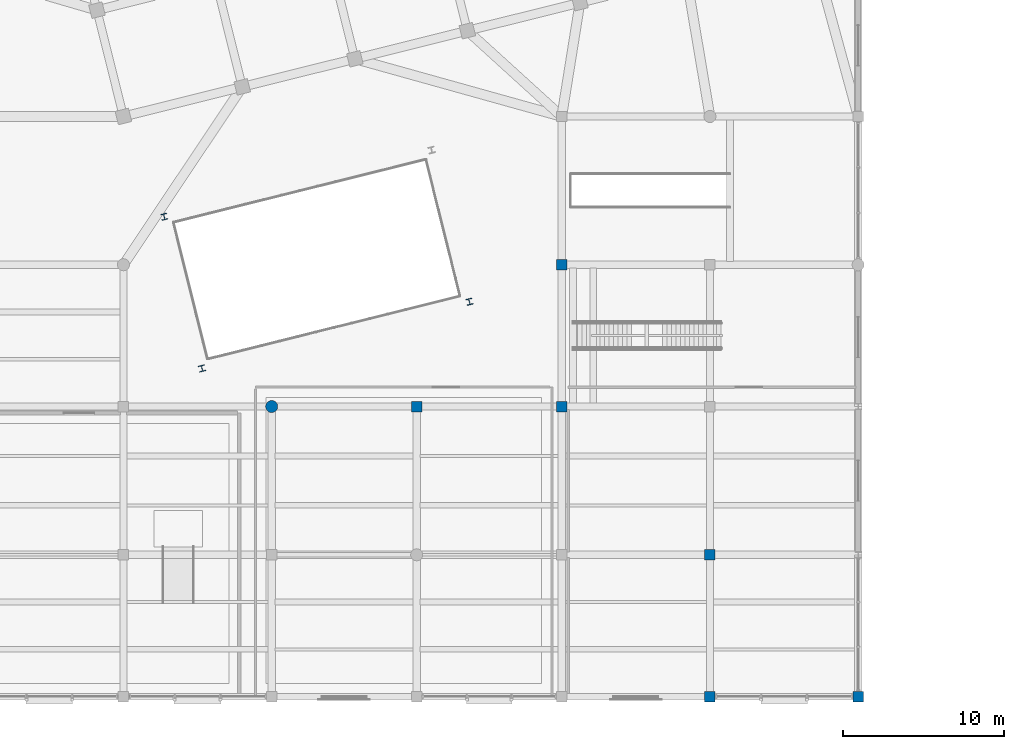
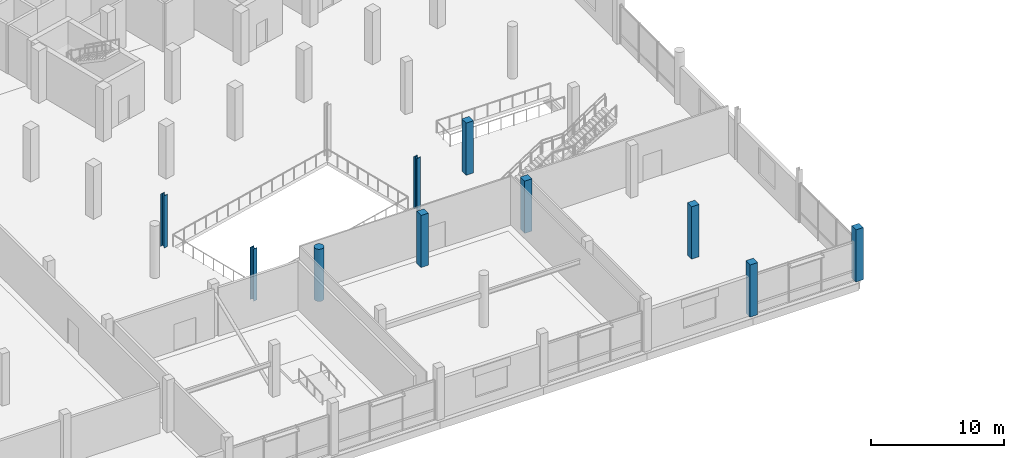
# One storey, part 4 of 71: 10 columns.
"""IFC4 building model written with IfcOpenShell, lengths in metres."""

from ifc_helpers import new_model, si_unit, direction, frame, origin, origin_2d, place, context, subcontext, project, spatial, rectangle, circle, i_section, extrude, material, material_profile, profile_set, type_object, element, save


model = new_model("IFC4")

# Units and contexts
model_context = context("Model", 3, precision=1e-05, world=origin(), true_north=direction((0.0, 1.0)))
body_context = subcontext(model_context, "Body", "Model", "MODEL_VIEW")
ifc_project = project(units=[si_unit("LENGTHUNIT", "METRE"), si_unit("AREAUNIT", "SQUARE_METRE"), si_unit("VOLUMEUNIT", "CUBIC_METRE"), si_unit("PLANEANGLEUNIT", "RADIAN"), si_unit("MASSUNIT", "GRAM", prefix="KILO")], contexts=[model_context])

# Site, building, storey
site_placement = place(None, origin())
site = spatial("IfcSite", under=ifc_project, at=site_placement, CompositionType="ELEMENT")
building_placement = place(site_placement, origin())
building = spatial("IfcBuilding", under=site, at=building_placement, Name="Meriwether Solvik Hall", CompositionType="ELEMENT")
storey_placement = place(building_placement, frame((0.0, 0.0, 5.10009765625)))
storey = spatial("IfcBuildingStorey", under=building, at=storey_placement, Name="L01", CompositionType="ELEMENT", Elevation=5.10009765625)

# Columns
ifc_material_1 = material(Name="Concrete C40/50", Category="concrete")
ifc_material_profile_1 = material_profile(ifc_material_1, rectangle(XDim=0.64990234375, YDim=0.64990234375, at=origin_2d()), Name="RCC-650X650")
ifc_profile_set_1 = profile_set([ifc_material_profile_1], Name="Concrete C40/50")
column_type_1 = type_object("IfcColumnType", Name="COL-RC-650", PredefinedType="COLUMN", material=ifc_profile_set_1)
for number, where, z_axis, x_axis, name in (
    (1, (86.800048828125, 23.199951171875, 0.0), (0.0, 0.0, 1.0), (1.0, 0.0, 0.0), "Podium Column 10/C (L01)"),
    (2, (95.800048828125, 23.199951171875, 0.0), (0.0, 0.0, 1.0), (1.0, 0.0, 0.0), "Podium Column 11/C (L01)"),
    (3, (95.800048828125, 32.0, 0.0), (0.0, 0.0, 1.0), (1.0, 0.0, 0.0), "Podium Column 11/D (L01)"),
    (4, (105.0, 5.199951171875, 0.0), (0.0, 0.0, 1.0), (1.0, 0.0, 0.0), "Podium Column 12/A (L01)"),
    (5, (105.0, 14.0, 0.0), (0.0, 0.0, 1.0), (1.0, 0.0, 0.0), "Podium Column 12/B (L01)"),
    (6, (114.199951171875, 5.199951171875, 0.0), (0.0, 0.0, 1.0), (1.0, 0.0, 0.0), "Podium Column 13/A (L01)"),
):
    element("IfcColumn", number, at=place(storey_placement, frame(where, z_axis=z_axis, x_axis=x_axis)), inside=storey, type_object=column_type_1, Name=name, PredefinedType="COLUMN", context=body_context, shape_type="SweptSolid", body=[
        extrude(rectangle(XDim=0.64990234375, YDim=0.64990234375, at=origin_2d()), origin(), (0.0, 0.0, 1.0), 4.7998046875),
    ])
ifc_material_2 = material(Name="Concrete C40/50", Category="concrete")
ifc_material_profile_2 = material_profile(ifc_material_2, circle(Radius=0.375, at=origin_2d()), Name="RCC-D750")
ifc_profile_set_2 = profile_set([ifc_material_profile_2], Name="Concrete C40/50")
column_type_2 = type_object("IfcColumnType", Name="COL-RC-D750", PredefinedType="COLUMN", material=ifc_profile_set_2)
column_placement = place(storey_placement, frame((77.800048828125, 23.199951171875, 0.0), z_axis=(0.0, 0.0, 1.0), x_axis=(1.0, 0.0, 0.0)))
element("IfcColumn", 7, at=column_placement, inside=storey, type_object=column_type_2, Name="Podium Column 9/C (L01)", PredefinedType="COLUMN", context=body_context, shape_type="SweptSolid", body=[
    extrude(circle(Radius=0.375, at=origin_2d()), origin(), (0.0, 0.0, 1.0), 4.7998046875),
])
ifc_material_3 = material(Name="Steel A992 Grade 50", Category="steel")
ifc_material_profile_3 = material_profile(ifc_material_3, i_section(OverallWidth=0.3740234375, OverallDepth=0.3720703125, WebThickness=0.016357421875, FlangeThickness=0.026123046875, at=origin_2d()), Name="W14X132")
ifc_profile_set_3 = profile_set([ifc_material_profile_3], Name="Steel A992 Grade 50")
column_type_3 = type_object("IfcColumnType", Name="COL-STL-W14X132", PredefinedType="COLUMN", material=ifc_profile_set_3)
for number, where, z_axis, x_axis, name in (
    (8, (73.477294921875, 25.5654296875, 0.0), (0.0, 0.0, 1.0), (0.970295726276, 0.2419218956, 0.0), "Atrium Cleft Corner Column SW (L01)"),
    (9, (90.0693359375, 29.702392578125, 0.0), (0.0, 0.0, 1.0), (0.970295726276, 0.2419218956, 0.0), "Atrium Cleft Corner Column SE (L01)"),
    (10, (71.130615234375, 34.977294921875, 0.0), (0.0, 0.0, 1.0), (0.970295726276, 0.2419218956, 0.0), "Atrium Cleft Corner Column NW (L01)"),
):
    element("IfcColumn", number, at=place(storey_placement, frame(where, z_axis=z_axis, x_axis=x_axis)), inside=storey, type_object=column_type_3, Name=name, PredefinedType="COLUMN", context=body_context, shape_type="SweptSolid", body=[
        extrude(i_section(OverallWidth=0.3740234375, OverallDepth=0.3720703125, WebThickness=0.016357421875, FlangeThickness=0.026123046875, at=origin_2d()), origin(), (0.0, 0.0, 1.0), 4.7998046875),
    ])

save(model, "model.ifc")
